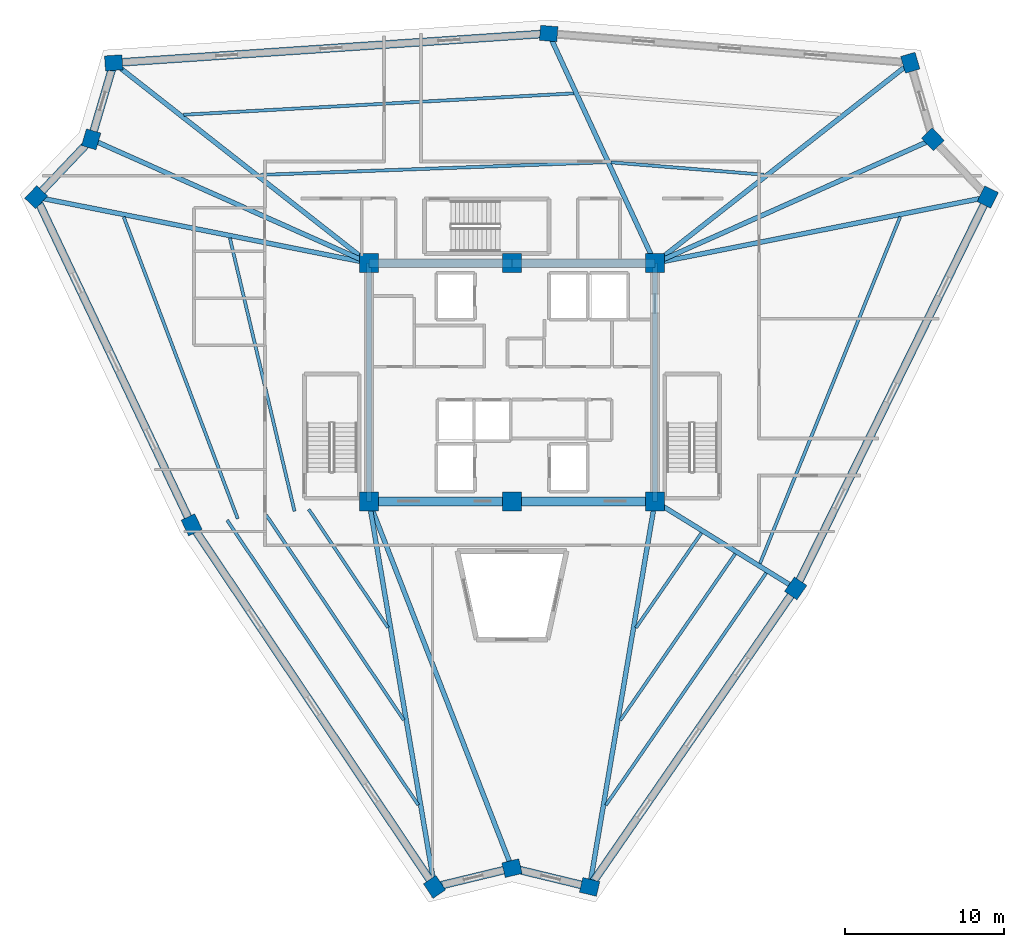
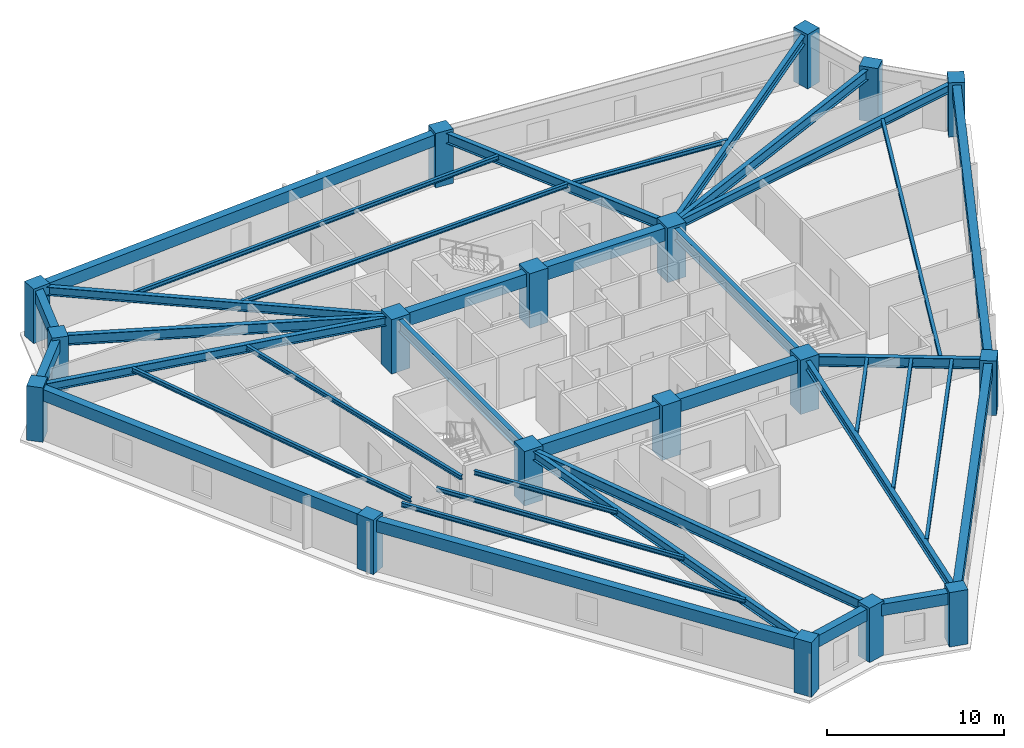
# One storey, part 1 of 8: 38 beams, 18 columns.
"""IFC4 building model written with IfcOpenShell, lengths in metres."""

import ifcopenshell
import ifcopenshell.guid

model = None  # the IFC model being written
_history = None  # IfcOwnerHistory: only IFC2X3 demands one
_inside = {}  # id of a spatial element -> (the spatial element, [elements in it])
_under = {}  # id of a project, library or spatial element -> (it, [spatial elements below it])
_declared = {}  # id of a project -> (the project, [libraries it declares])
_typed = {}  # id of a type object -> (the type object, [elements of that type])
_made_of = {}  # id of a material, layer set ... -> (it, [elements and type objects made of it])


def new_model(schema):
    """Start an empty IFC model of exactly this schema.

    Asked for "IFC4X3", IfcOpenShell would pick the latest addendum, in which some entities
    have other attributes; the version numbers below select the first issue.
    IFC2X3 requires an IfcOwnerHistory on every rooted entity: one is made here for all.
    """
    global model, _history
    if schema == "IFC4X3":
        model = ifcopenshell.file(schema_version=(4, 3, 0, 0))
    else:
        model = ifcopenshell.file(schema=schema)
    _inside.clear()
    _under.clear()
    _declared.clear()
    _typed.clear()
    _made_of.clear()
    _history = None
    if model.schema == "IFC2X3":
        org = make("IfcOrganization", Name="unknown")
        user = make(
            "IfcPersonAndOrganization",
            ThePerson=make("IfcPerson", FamilyName="unknown"),
            TheOrganization=org,
        )
        app = make(
            "IfcApplication",
            ApplicationDeveloper=org,
            Version="unknown",
            ApplicationFullName="unknown",
            ApplicationIdentifier="unknown",
        )
        _history = make(
            "IfcOwnerHistory",
            OwningUser=user,
            OwningApplication=app,
            ChangeAction="ADDED",
            CreationDate=0,
        )
    return model


def make(cls, **values):
    """One entity of the class cls with the attributes given. An attribute that is None is left unset."""
    return model.create_entity(
        cls, **{name: value for name, value in values.items() if value is not None}
    )


def rooted(cls, **values):
    """An entity with a GlobalId (a new one), such as an element, a storey or a relation."""
    return make(cls, GlobalId=ifcopenshell.guid.new(), OwnerHistory=_history, **values)


def si_unit(unit_type, name, prefix=None):
    """IfcSIUnit, for example si_unit("LENGTHUNIT", "METRE", prefix="MILLI")."""
    return make("IfcSIUnit", UnitType=unit_type, Prefix=prefix, Name=name)


def assignment(units):
    """IfcUnitAssignment: the units of a project."""
    return None if units is None else make("IfcUnitAssignment", Units=units)


def point(xyz):
    """IfcCartesianPoint."""
    return None if xyz is None else make("IfcCartesianPoint", Coordinates=xyz)


def direction(xyz):
    """IfcDirection."""
    return None if xyz is None else make("IfcDirection", DirectionRatios=xyz)


def frame(location, z_axis=None, x_axis=None):
    """IfcAxis2Placement3D, a coordinate frame: its origin and axes. An axis left out is left unset."""
    return make(
        "IfcAxis2Placement3D",
        Location=point(location),
        Axis=direction(z_axis),
        RefDirection=direction(x_axis),
    )


def frame_2d(location, x_axis=None):
    """IfcAxis2Placement2D, a coordinate frame in the plane: its origin and x axis."""
    return make(
        "IfcAxis2Placement2D", Location=point(location), RefDirection=direction(x_axis)
    )


def origin():
    """The frame at (0, 0, 0) with its axes left unset."""
    return frame((0.0, 0.0, 0.0))


def origin_2d():
    """The frame at (0, 0) in the plane with its x axis left unset."""
    return frame_2d((0.0, 0.0))


def place(relative_to, where):
    """IfcLocalPlacement: puts the frame where relative to a parent placement (None: the world)."""
    return make(
        "IfcLocalPlacement", PlacementRelTo=relative_to, RelativePlacement=where
    )


def context(
    kind, dimensions, precision=None, world=None, true_north=None, identifier=None
):
    """IfcGeometricRepresentationContext, for example the 3D "Model" context."""
    return make(
        "IfcGeometricRepresentationContext",
        ContextIdentifier=identifier,
        ContextType=kind,
        CoordinateSpaceDimension=dimensions,
        Precision=precision,
        WorldCoordinateSystem=world,
        TrueNorth=true_north,
    )


def subcontext(parent, identifier, kind, view, scale=None):
    """IfcGeometricRepresentationSubContext, for example "Body" below "Model"."""
    return make(
        "IfcGeometricRepresentationSubContext",
        ContextIdentifier=identifier,
        ContextType=kind,
        ParentContext=parent,
        TargetScale=scale,
        TargetView=view,
    )


def project(units=None, contexts=None):
    """IfcProject with its units and contexts."""
    return rooted(
        "IfcProject",
        Name="project",
        RepresentationContexts=contexts,
        UnitsInContext=assignment(units),
    )


def spatial(cls, under=None, at=None, **own):
    """A site, building, storey or space (cls), placed at a placement, below another one or the project."""
    s = rooted(cls, ObjectPlacement=at, **own)
    if under is not None:
        _under.setdefault(under.id(), (under, []))[1].append(s)
    return s


def profile(cls, at=None, kind="AREA", **sizes):
    """A parametric profile (cls). Its sizes go by their IFC names, for example OverallWidth=200.0."""
    return make(cls, ProfileType=kind, Position=at, **sizes)


def rectangle(**sizes):
    """IfcRectangleProfileDef."""
    return profile("IfcRectangleProfileDef", **sizes)


def i_section(**sizes):
    """IfcIShapeProfileDef."""
    return profile("IfcIShapeProfileDef", **sizes)


def extrude(swept, where, along, depth):
    """IfcExtrudedAreaSolid: the profile swept, set in the frame where, extruded along a direction by depth."""
    return make(
        "IfcExtrudedAreaSolid",
        SweptArea=swept,
        Position=where,
        ExtrudedDirection=direction(along),
        Depth=depth,
    )


def shape(context_of_items, identifier, shape_type, items):
    """IfcShapeRepresentation: the items that make up one representation, for example the "Body"."""
    return make(
        "IfcShapeRepresentation",
        ContextOfItems=context_of_items,
        RepresentationIdentifier=identifier,
        RepresentationType=shape_type,
        Items=items,
    )


def source(mapping_origin, context_of_items, identifier, shape_type, items):
    """IfcRepresentationMap: a shape defined once, which mapped items show again and again."""
    return make(
        "IfcRepresentationMap",
        MappingOrigin=mapping_origin,
        MappedRepresentation=shape(context_of_items, identifier, shape_type, items),
    )


def transform(
    local_origin,
    x_axis=None,
    y_axis=None,
    z_axis=None,
    scale=None,
    scale2=None,
    scale3=None,
    uniform=True,
):
    """IfcCartesianTransformationOperator3D, or its non-uniform kind. x_axis, y_axis, z_axis: its Axis1, 2, 3."""
    if uniform:
        return make(
            "IfcCartesianTransformationOperator3D",
            Axis1=direction(x_axis),
            Axis2=direction(y_axis),
            LocalOrigin=point(local_origin),
            Scale=scale,
            Axis3=direction(z_axis),
        )
    return make(
        "IfcCartesianTransformationOperator3DnonUniform",
        Axis1=direction(x_axis),
        Axis2=direction(y_axis),
        LocalOrigin=point(local_origin),
        Scale=scale,
        Axis3=direction(z_axis),
        Scale2=scale2,
        Scale3=scale3,
    )


def mapped(mapping_source, mapping_target):
    """IfcMappedItem: shows the shape of a source again, moved by a transform."""
    return make(
        "IfcMappedItem", MappingSource=mapping_source, MappingTarget=mapping_target
    )


def material(Name=None, Category=None):
    """IfcMaterial."""
    return make("IfcMaterial", Name=Name, Category=Category)


def material_profile(
    of_material, cross_section, Name=None, Category=None, Priority=None
):
    """IfcMaterialProfile: a cross section and its material."""
    return make(
        "IfcMaterialProfile",
        Name=Name,
        Material=of_material,
        Profile=cross_section,
        Priority=Priority,
        Category=Category,
    )


def profile_set(profiles, Name=None, composite=None):
    """IfcMaterialProfileSet."""
    return make(
        "IfcMaterialProfileSet",
        Name=Name,
        MaterialProfiles=profiles,
        CompositeProfile=composite,
    )


def made_of(thing, what):
    """Note that an element or type object is made of a material, layer set ...; save() writes the relation."""
    if what is not None:
        _made_of.setdefault(what.id(), (what, []))[1].append(thing)
    return thing


def type_object(cls, material=None, **own):
    """A type object (cls), such as IfcWallType, which elements share."""
    return made_of(rooted(cls, **own), material)


def element(
    cls,
    number,
    at=None,
    inside=None,
    cuts=None,
    type_object=None,
    material=None,
    context=None,
    identifier="Body",
    shape_type=None,
    held_by="IfcProductDefinitionShape",
    body=None,
    shapes=None,
    **own,
):
    """One element of the class cls, such as IfcWall. Its Tag is "e" and its number.

    at: its placement. inside: the storey or other place that contains it. cuts: it is an
    opening in that element (IfcRelVoidsElement). A single representation is given by context,
    identifier, shape_type and body (its items); several are given by shapes. held_by: the class
    of the entity that holds the representations. save() writes the other relations.
    """
    e = rooted(cls, Tag="e%d" % number, ObjectPlacement=at, **own)
    if body is not None:
        shapes = [shape(context, identifier, shape_type, body)]
    if shapes is not None:
        e.Representation = make(held_by, Representations=shapes)
    if inside is not None:
        _inside.setdefault(inside.id(), (inside, []))[1].append(e)
    if cuts is not None:
        rooted(
            "IfcRelVoidsElement", RelatingBuildingElement=cuts, RelatedOpeningElement=e
        )
    if type_object is not None:
        _typed.setdefault(type_object.id(), (type_object, []))[1].append(e)
    return made_of(e, material)


def aggregate(whole, parts):
    """IfcRelAggregates: a whole, such as a stair, and the parts it consists of."""
    return rooted("IfcRelAggregates", RelatingObject=whole, RelatedObjects=parts)


def save(model, path):
    """Write the relations noted so far, then the file.

    IfcRelAggregates (storeys below a building ...), IfcRelContainedInSpatialStructure (elements
    in a storey), IfcRelDefinesByType, IfcRelAssociatesMaterial and IfcRelDeclares: one each for
    every whole, place, type object, material and project.
    """
    for whole, parts in _under.values():
        aggregate(whole, parts)
    for where, things in _inside.values():
        rooted(
            "IfcRelContainedInSpatialStructure",
            RelatedElements=things,
            RelatingStructure=where,
        )
    for kind, things in _typed.values():
        rooted("IfcRelDefinesByType", RelatedObjects=things, RelatingType=kind)
    for what, things in _made_of.values():
        rooted("IfcRelAssociatesMaterial", RelatedObjects=things, RelatingMaterial=what)
    for by, libraries in _declared.values():
        rooted("IfcRelDeclares", RelatingContext=by, RelatedDefinitions=libraries)
    model.write(path)


model = new_model("IFC4")

# Units and contexts
model_context = context("Model", 3, precision=1e-05, world=origin(), true_north=direction((0.0, 1.0)))
body_context = subcontext(model_context, "Body", "Model", "MODEL_VIEW")
ifc_project = project(units=[si_unit("LENGTHUNIT", "METRE"), si_unit("AREAUNIT", "SQUARE_METRE"), si_unit("VOLUMEUNIT", "CUBIC_METRE"), si_unit("PLANEANGLEUNIT", "RADIAN"), si_unit("MASSUNIT", "GRAM", prefix="KILO")], contexts=[model_context])

# Site, building, storey
site_placement = place(None, origin())
site = spatial("IfcSite", under=ifc_project, at=site_placement, CompositionType="ELEMENT")
building_placement = place(site_placement, origin())
building = spatial("IfcBuilding", under=site, at=building_placement, Name="Liaohun Quay Tower", CompositionType="ELEMENT")
storey_placement = place(building_placement, frame((0.0, 0.0, 312.75)))
storey = spatial("IfcBuildingStorey", under=building, at=storey_placement, Name="L81", CompositionType="ELEMENT", Elevation=312.75)

# Columns
ifc_material_1 = material(Name="Concrete C50", Category="concrete")
ifc_material_profile_1 = material_profile(ifc_material_1, rectangle(XDim=1.199951171875, YDim=1.199951171875, at=origin_2d()), Name="RC1200x1200")
ifc_profile_set_1 = profile_set([ifc_material_profile_1], Name="Concrete C50")
column_type_1 = type_object("IfcColumnType", Name="COL-CC-Z4", PredefinedType="COLUMN", material=ifc_profile_set_1)
shared_shape_1 = source(origin(), body_context, "Body", "SweptSolid", [
    extrude(rectangle(XDim=1.199951171875, YDim=1.199951171875, at=origin_2d()), origin(), (0.0, 0.0, 1.0), 3.75),
])
for number, where, z_axis, x_axis, name in (
    (1, (51.0, 46.5, 0.0), (0.0, 0.0, 1.0), (1.0, 0.0, 0.0), "L81 Core Column CC1"),
    (2, (60.0, 46.5, 0.0), (0.0, 0.0, 1.0), (1.0, 0.0, 0.0), "L81 Core Column CC2"),
    (3, (69.0, 46.5, 0.0), (0.0, 0.0, 1.0), (1.0, 0.0, 0.0), "L81 Core Column CC3"),
    (4, (69.0, 61.5, 0.0), (0.0, 0.0, 1.0), (1.0, 0.0, 0.0), "L81 Core Column CC4"),
    (5, (60.0, 61.5, 0.0), (0.0, 0.0, 1.0), (1.0, 0.0, 0.0), "L81 Core Column CC5"),
    (6, (51.0, 61.5, 0.0), (0.0, 0.0, 1.0), (1.0, 0.0, 0.0), "L81 Core Column CC6"),
):
    element("IfcColumn", number, at=place(storey_placement, frame(where, z_axis=z_axis, x_axis=x_axis)), inside=storey, type_object=column_type_1, Name=name, PredefinedType="COLUMN", context=body_context, shape_type="MappedRepresentation", body=[
        mapped(shared_shape_1, transform((0.0, 0.0, 0.0), x_axis=(1.0, 0.0, 0.0), y_axis=(0.0, 1.0, 0.0), z_axis=(0.0, 0.0, 1.0), scale=1.0)),
    ])
ifc_material_profile_2 = material_profile(ifc_material_1, rectangle(XDim=1.10009765625, YDim=0.949951171875, at=origin_2d()), Name="RC1100x950")
ifc_profile_set_2 = profile_set([ifc_material_profile_2], Name="Concrete C50")
column_type_2 = type_object("IfcColumnType", Name="COL-PIER-Z4", PredefinedType="COLUMN", material=ifc_profile_set_2)
shared_shape_2 = source(origin(), body_context, "Body", "SweptSolid", [
    extrude(rectangle(XDim=1.10009765625, YDim=0.949951171875, at=origin_2d()), origin(), (0.0, 0.0, 1.0), 3.75),
])
for number, where, z_axis, x_axis, name in (
    (7, (55.123046875, 22.22998046875, 0.0), (0.0, 0.0, 1.0), (-0.557165515219, 0.830401462336, 0.0), "L81 Perimeter Pier PC01"),
    (8, (39.8310546875, 45.02197265625, 0.0), (0.0, 0.0, 1.0), (-0.428619783775, 0.903484964433, 0.0), "L81 Perimeter Pier PC02"),
    (9, (30.0419921875, 65.655029296875, 0.0), (0.0, 0.0, 1.0), (0.68936671806, 0.724412539946, 0.0), "L81 Perimeter Pier PC03"),
    (10, (33.507080078125, 69.2958984375, 0.0), (0.0, 0.0, 1.0), (0.282508884416, 0.959264682049, 0.0), "L81 Perimeter Pier PC04"),
    (11, (34.925048828125, 74.10888671875, 0.0), (0.0, 0.0, 1.0), (0.997731519333, 0.067318759124, 0.0), "L81 Perimeter Pier PC05"),
    (12, (62.30908203125, 75.9560546875, 0.0), (0.0, 0.0, 1.0), (-0.996750823024, 0.080546860903, 0.0), "L81 Perimeter Pier PC06"),
    (13, (85.072998046875, 74.116943359375, 0.0), (0.0, 0.0, 1.0), (-0.282508884416, 0.959264682049, 0.0), "L81 Perimeter Pier PC07"),
    (14, (86.492919921875, 69.2958984375, 0.0), (0.0, 0.0, 1.0), (-0.68936671806, 0.724412539946, 0.0), "L81 Perimeter Pier PC08"),
    (15, (89.951904296875, 65.660888671875, 0.0), (0.0, 0.0, 1.0), (0.440566004113, 0.897720221461, 0.0), "L81 Perimeter Pier PC09"),
    (16, (77.860107421875, 41.02197265625, 0.0), (0.0, 0.0, 1.0), (0.568131039249, 0.82293810353, 0.0), "L81 Perimeter Pier PC10"),
    (17, (64.885009765625, 22.22802734375, 0.0), (0.0, 0.0, 1.0), (-0.972043021443, 0.234802820391, 0.0), "L81 Perimeter Pier PC11"),
    (18, (60.0, 23.407958984375, 0.0), (0.0, 0.0, 1.0), (0.972043021443, 0.234802820391, 0.0), "L81 Perimeter Pier PC12"),
):
    element("IfcColumn", number, at=place(storey_placement, frame(where, z_axis=z_axis, x_axis=x_axis)), inside=storey, type_object=column_type_2, Name=name, PredefinedType="COLUMN", context=body_context, shape_type="MappedRepresentation", body=[
        mapped(shared_shape_2, transform((0.0, 0.0, 0.0), x_axis=(1.0, 0.0, 0.0), y_axis=(0.0, 1.0, 0.0), z_axis=(0.0, 0.0, 1.0), scale=1.0)),
    ])

# Beams
ifc_material_2 = material(Name="Steel Q355D", Category="steel")
ifc_material_profile_3 = material_profile(ifc_material_2, i_section(OverallWidth=0.300048828125, OverallDepth=0.800048828125, WebThickness=0.013916015625, FlangeThickness=0.02587890625, at=origin_2d()), Name="HN800x300x14x26")
ifc_profile_set_3 = profile_set([ifc_material_profile_3], Name="Steel Q355D")
beam_type_1 = type_object("IfcBeamType", Name="BM-RAD-M1", PredefinedType="BEAM", material=ifc_profile_set_3)
shared_shape_3 = source(origin(), body_context, "Body", "SweptSolid", [
    extrude(i_section(OverallWidth=0.300048828125, OverallDepth=0.800048828125, WebThickness=0.013916015625, FlangeThickness=0.02587890625, at=origin_2d()), origin(), (0.0, 0.0, 1.0), 15.0),
])
for number, where, z_axis, x_axis, name in (
    (19, (69.0, 46.5, 3.169921875), (0.0, 1.0, 0.0), (-1.0, 0.0, 0.0), "L81 Core Coupling/Ring Beam CC3-CC4"),
    (20, (51.0, 61.5, 3.169921875), (0.0, -1.0, 0.0), (1.0, 0.0, 0.0), "L81 Core Coupling/Ring Beam CC6-CC1"),
):
    element("IfcBeam", number, at=place(storey_placement, frame(where, z_axis=z_axis, x_axis=x_axis)), inside=storey, type_object=beam_type_1, Name=name, PredefinedType="BEAM", context=body_context, shape_type="MappedRepresentation", body=[
        mapped(shared_shape_3, transform((0.0, 0.0, 0.0), x_axis=(1.0, 0.0, 0.0), y_axis=(0.0, 1.0, 0.0), z_axis=(0.0, 0.0, 1.0), scale=1.0)),
    ])
ifc_material_3 = material(Name="Concrete C55", Category="concrete")
ifc_material_profile_4 = material_profile(ifc_material_3, rectangle(XDim=0.550048828125, YDim=0.89990234375, at=origin_2d()), Name="RC550x900")
ifc_profile_set_4 = profile_set([ifc_material_profile_4], Name="Concrete C55")
beam_type_2 = type_object("IfcBeamType", Name="BM-CPL-2", PredefinedType="LINTEL", material=ifc_profile_set_4)
shared_shape_4 = source(origin(), body_context, "Body", "SweptSolid", [
    extrude(rectangle(XDim=0.550048828125, YDim=0.89990234375, at=origin_2d()), origin(), (0.0, 0.0, 1.0), 9.0),
])
for number, where, z_axis, x_axis, name in (
    (21, (51.0, 46.5, 3.1201171875), (1.0, 0.0, 0.0), (0.0, 1.0, 0.0), "L81 Core Coupling/Ring Beam CC1-CC2"),
    (22, (60.0, 46.5, 3.1201171875), (1.0, 0.0, 0.0), (0.0, 1.0, 0.0), "L81 Core Coupling/Ring Beam CC2-CC3"),
    (23, (69.0, 61.5, 3.1201171875), (-1.0, 0.0, 0.0), (0.0, -1.0, 0.0), "L81 Core Coupling/Ring Beam CC4-CC5"),
    (24, (60.0, 61.5, 3.1201171875), (-1.0, 0.0, 0.0), (0.0, -1.0, 0.0), "L81 Core Coupling/Ring Beam CC5-CC6"),
):
    element("IfcBeam", number, at=place(storey_placement, frame(where, z_axis=z_axis, x_axis=x_axis)), inside=storey, type_object=beam_type_2, Name=name, PredefinedType="LINTEL", context=body_context, shape_type="MappedRepresentation", body=[
        mapped(shared_shape_4, transform((0.0, 0.0, 0.0), x_axis=(1.0, 0.0, 0.0), y_axis=(0.0, 1.0, 0.0), z_axis=(0.0, 0.0, 1.0), scale=1.0)),
    ])
ifc_material_profile_5 = material_profile(ifc_material_2, i_section(OverallWidth=0.300048828125, OverallDepth=0.587890625, WebThickness=0.011962890625, FlangeThickness=0.02001953125, at=origin_2d()), Name="HM588x300x12x20")
ifc_profile_set_5 = profile_set([ifc_material_profile_5], Name="Steel Q355D")
beam_type_3 = type_object("IfcBeamType", Name="BM-RAD-U2", PredefinedType="BEAM", material=ifc_profile_set_5)
shared_shape_5 = source(origin(), body_context, "Body", "SweptSolid", [
    extrude(i_section(OverallWidth=0.300048828125, OverallDepth=0.587890625, WebThickness=0.011962890625, FlangeThickness=0.02001953125, at=origin_2d()), origin(), (0.0, 0.0, 1.0), 24.61767578125),
])
beam_1_placement = place(storey_placement, frame((51.0, 46.5, 3.27587890625), z_axis=(0.167482720007, -0.985875011601, 0.0), x_axis=(0.985875011601, 0.167482720007, 0.0)))
element("IfcBeam", 25, at=beam_1_placement, inside=storey, type_object=beam_type_3, Name="L81 Radial Primary Girder CC1-PC01", PredefinedType="BEAM", context=body_context, shape_type="MappedRepresentation", body=[
    mapped(shared_shape_5, transform((0.0, 0.0, 0.0), x_axis=(1.0, 0.0, 0.0), y_axis=(0.0, 1.0, 0.0), z_axis=(0.0, 0.0, 1.0), scale=1.0)),
])
shared_shape_6 = source(origin(), body_context, "Body", "SweptSolid", [
    extrude(i_section(OverallWidth=0.300048828125, OverallDepth=0.587890625, WebThickness=0.011962890625, FlangeThickness=0.02001953125, at=origin_2d()), origin(), (0.0, 0.0, 1.0), 21.365966796875),
])
beam_2_placement = place(storey_placement, frame((51.0, 61.5, 3.27587890625), z_axis=(-0.980908469538, 0.194469983261, 0.0), x_axis=(-0.194469983261, -0.980908469538, 0.0)))
element("IfcBeam", 26, at=beam_2_placement, inside=storey, type_object=beam_type_3, Name="L81 Radial Primary Girder CC6-PC03", PredefinedType="BEAM", context=body_context, shape_type="MappedRepresentation", body=[
    mapped(shared_shape_6, transform((0.0, 0.0, 0.0), x_axis=(1.0, 0.0, 0.0), y_axis=(0.0, 1.0, 0.0), z_axis=(0.0, 0.0, 1.0), scale=1.0)),
])
ifc_material_profile_6 = material_profile(ifc_material_2, i_section(OverallWidth=0.300048828125, OverallDepth=0.699951171875, WebThickness=0.012939453125, FlangeThickness=0.02392578125, at=origin_2d()), Name="HN700x300x13x24")
ifc_profile_set_6 = profile_set([ifc_material_profile_6], Name="Steel Q355D")
beam_type_4 = type_object("IfcBeamType", Name="BM-RAD-U1", PredefinedType="BEAM", material=ifc_profile_set_6)
shared_shape_7 = source(origin(), body_context, "Body", "SweptSolid", [
    extrude(i_section(OverallWidth=0.300048828125, OverallDepth=0.699951171875, WebThickness=0.012939453125, FlangeThickness=0.02392578125, at=origin_2d()), origin(), (0.0, 0.0, 1.0), 19.1513671875),
])
for number, where, z_axis, x_axis, name in (
    (27, (51.0, 61.5, 3.219970703125), (-0.913398940203, 0.407065567244, 0.0), (-0.407065567244, -0.913398940203, 0.0), "L81 Radial Primary Girder CC6-PC04"),
    (28, (69.0, 61.5, 3.219970703125), (0.913398940203, 0.407065567244, 0.0), (-0.407065567244, 0.913398940203, 0.0), "L81 Radial Primary Girder CC4-PC08"),
):
    element("IfcBeam", number, at=place(storey_placement, frame(where, z_axis=z_axis, x_axis=x_axis)), inside=storey, type_object=beam_type_4, Name=name, PredefinedType="BEAM", context=body_context, shape_type="MappedRepresentation", body=[
        mapped(shared_shape_7, transform((0.0, 0.0, 0.0), x_axis=(1.0, 0.0, 0.0), y_axis=(0.0, 1.0, 0.0), z_axis=(0.0, 0.0, 1.0), scale=1.0)),
    ])
shared_shape_8 = source(origin(), body_context, "Body", "SweptSolid", [
    extrude(i_section(OverallWidth=0.300048828125, OverallDepth=0.587890625, WebThickness=0.011962890625, FlangeThickness=0.02001953125, at=origin_2d()), origin(), (0.0, 0.0, 1.0), 20.43017578125),
])
beam_3_placement = place(storey_placement, frame((51.0, 61.5, 3.27587890625), z_axis=(-0.786827701717, 0.617172721214, 0.0), x_axis=(-0.617172721214, -0.786827701717, 0.0)))
element("IfcBeam", 29, at=beam_3_placement, inside=storey, type_object=beam_type_3, Name="L81 Radial Primary Girder CC6-PC05", PredefinedType="BEAM", context=body_context, shape_type="MappedRepresentation", body=[
    mapped(shared_shape_8, transform((0.0, 0.0, 0.0), x_axis=(1.0, 0.0, 0.0), y_axis=(0.0, 1.0, 0.0), z_axis=(0.0, 0.0, 1.0), scale=1.0)),
])
shared_shape_9 = source(origin(), body_context, "Body", "SweptSolid", [
    extrude(i_section(OverallWidth=0.300048828125, OverallDepth=0.699951171875, WebThickness=0.012939453125, FlangeThickness=0.02392578125, at=origin_2d()), origin(), (0.0, 0.0, 1.0), 15.929443359375),
])
beam_4_placement = place(storey_placement, frame((69.0, 61.5, 3.219970703125), z_axis=(-0.420035684894, 0.907507588627, 0.0), x_axis=(-0.907507588627, -0.420035684894, 0.0)))
element("IfcBeam", 30, at=beam_4_placement, inside=storey, type_object=beam_type_4, Name="L81 Radial Primary Girder CC4-PC06", PredefinedType="BEAM", context=body_context, shape_type="MappedRepresentation", body=[
    mapped(shared_shape_9, transform((0.0, 0.0, 0.0), x_axis=(1.0, 0.0, 0.0), y_axis=(0.0, 1.0, 0.0), z_axis=(0.0, 0.0, 1.0), scale=1.0)),
])
shared_shape_10 = source(origin(), body_context, "Body", "SweptSolid", [
    extrude(i_section(OverallWidth=0.300048828125, OverallDepth=0.587890625, WebThickness=0.011962890625, FlangeThickness=0.02001953125, at=origin_2d()), origin(), (0.0, 0.0, 1.0), 20.43359375),
])
beam_5_placement = place(storey_placement, frame((69.0, 61.5, 3.27587890625), z_axis=(0.786599771307, 0.617463197105, 0.0), x_axis=(-0.617463197105, 0.786599771307, 0.0)))
element("IfcBeam", 31, at=beam_5_placement, inside=storey, type_object=beam_type_3, Name="L81 Radial Primary Girder CC4-PC07", PredefinedType="BEAM", context=body_context, shape_type="MappedRepresentation", body=[
    mapped(shared_shape_10, transform((0.0, 0.0, 0.0), x_axis=(1.0, 0.0, 0.0), y_axis=(0.0, 1.0, 0.0), z_axis=(0.0, 0.0, 1.0), scale=1.0)),
])
shared_shape_11 = source(origin(), body_context, "Body", "SweptSolid", [
    extrude(i_section(OverallWidth=0.300048828125, OverallDepth=0.587890625, WebThickness=0.011962890625, FlangeThickness=0.02001953125, at=origin_2d()), origin(), (0.0, 0.0, 1.0), 21.361083984375),
])
beam_6_placement = place(storey_placement, frame((69.0, 61.5, 3.27587890625), z_axis=(0.980845286904, 0.194788406119, 0.0), x_axis=(-0.194788406119, 0.980845286904, 0.0)))
element("IfcBeam", 32, at=beam_6_placement, inside=storey, type_object=beam_type_3, Name="L81 Radial Primary Girder CC4-PC09", PredefinedType="BEAM", context=body_context, shape_type="MappedRepresentation", body=[
    mapped(shared_shape_11, transform((0.0, 0.0, 0.0), x_axis=(1.0, 0.0, 0.0), y_axis=(0.0, 1.0, 0.0), z_axis=(0.0, 0.0, 1.0), scale=1.0)),
])
shared_shape_12 = source(origin(), body_context, "Body", "SweptSolid", [
    extrude(i_section(OverallWidth=0.300048828125, OverallDepth=0.699951171875, WebThickness=0.012939453125, FlangeThickness=0.02392578125, at=origin_2d()), origin(), (0.0, 0.0, 1.0), 10.416748046875),
])
beam_7_placement = place(storey_placement, frame((69.0, 46.5, 3.219970703125), z_axis=(0.850557211481, -0.525882524902, 0.0), x_axis=(0.525882524902, 0.850557211481, 0.0)))
element("IfcBeam", 33, at=beam_7_placement, inside=storey, type_object=beam_type_4, Name="L81 Radial Primary Girder CC3-PC10", PredefinedType="BEAM", context=body_context, shape_type="MappedRepresentation", body=[
    mapped(shared_shape_12, transform((0.0, 0.0, 0.0), x_axis=(1.0, 0.0, 0.0), y_axis=(0.0, 1.0, 0.0), z_axis=(0.0, 0.0, 1.0), scale=1.0)),
])
shared_shape_13 = source(origin(), body_context, "Body", "SweptSolid", [
    extrude(i_section(OverallWidth=0.300048828125, OverallDepth=0.587890625, WebThickness=0.011962890625, FlangeThickness=0.02001953125, at=origin_2d()), origin(), (0.0, 0.0, 1.0), 24.618408203125),
])
beam_8_placement = place(storey_placement, frame((69.0, 46.5, 3.27587890625), z_axis=(-0.167151528677, -0.985931217916, 0.0), x_axis=(0.985931217916, -0.167151528677, 0.0)))
element("IfcBeam", 34, at=beam_8_placement, inside=storey, type_object=beam_type_3, Name="L81 Radial Primary Girder CC3-PC11", PredefinedType="BEAM", context=body_context, shape_type="MappedRepresentation", body=[
    mapped(shared_shape_13, transform((0.0, 0.0, 0.0), x_axis=(1.0, 0.0, 0.0), y_axis=(0.0, 1.0, 0.0), z_axis=(0.0, 0.0, 1.0), scale=1.0)),
])
shared_shape_14 = source(origin(), body_context, "Body", "SweptSolid", [
    extrude(i_section(OverallWidth=0.300048828125, OverallDepth=0.699951171875, WebThickness=0.012939453125, FlangeThickness=0.02392578125, at=origin_2d()), origin(), (0.0, 0.0, 1.0), 24.783935546875),
])
beam_9_placement = place(storey_placement, frame((51.0, 46.5, 3.219970703125), z_axis=(0.363138778468, -0.931735062973, 0.0), x_axis=(0.931735062973, 0.363138778468, 0.0)))
element("IfcBeam", 35, at=beam_9_placement, inside=storey, type_object=beam_type_4, Name="L81 Radial Primary Girder CC1-PC12", PredefinedType="BEAM", context=body_context, shape_type="MappedRepresentation", body=[
    mapped(shared_shape_14, transform((0.0, 0.0, 0.0), x_axis=(1.0, 0.0, 0.0), y_axis=(0.0, 1.0, 0.0), z_axis=(0.0, 0.0, 1.0), scale=1.0)),
])
ifc_material_profile_7 = material_profile(ifc_material_2, i_section(OverallWidth=0.199951171875, OverallDepth=0.2939453125, WebThickness=0.008056640625, FlangeThickness=0.011962890625, at=origin_2d()), Name="HM294x200x8x12")
ifc_profile_set_7 = profile_set([ifc_material_profile_7], Name="Steel Q355D")
beam_type_5 = type_object("IfcBeamType", Name="BM-SEC-J4", PredefinedType="JOIST", material=ifc_profile_set_7)
shared_shape_15 = source(origin(), body_context, "Body", "SweptSolid", [
    extrude(i_section(OverallWidth=0.199951171875, OverallDepth=0.2939453125, WebThickness=0.008056640625, FlangeThickness=0.011962890625, at=origin_2d()), origin(), (0.0, 0.0, 1.0), 8.965576171875),
])
beam_10_placement = place(storey_placement, frame((52.197998046875, 38.552001953125, 3.423095703125), z_axis=(-0.557148590197, 0.830412818086, 0.0), x_axis=(-0.830412818086, -0.557148590197, 0.0)))
element("IfcBeam", 36, at=beam_10_placement, inside=storey, type_object=beam_type_5, Name="L81 Wing Secondary Floor Joist SJ-01", PredefinedType="JOIST", context=body_context, shape_type="MappedRepresentation", body=[
    mapped(shared_shape_15, transform((0.0, 0.0, 0.0), x_axis=(1.0, 0.0, 0.0), y_axis=(0.0, 1.0, 0.0), z_axis=(0.0, 0.0, 1.0), scale=1.0)),
])
shared_shape_16 = source(origin(), body_context, "Body", "SweptSolid", [
    extrude(i_section(OverallWidth=0.199951171875, OverallDepth=0.2939453125, WebThickness=0.008056640625, FlangeThickness=0.011962890625, at=origin_2d()), origin(), (0.0, 0.0, 1.0), 15.553955078125),
])
beam_11_placement = place(storey_placement, frame((53.18798828125, 32.72705078125, 3.423095703125), z_axis=(-0.557160899617, 0.830404559199, 0.0), x_axis=(-0.830404559199, -0.557160899617, 0.0)))
element("IfcBeam", 37, at=beam_11_placement, inside=storey, type_object=beam_type_5, Name="L81 Wing Secondary Floor Joist SJ-02", PredefinedType="JOIST", context=body_context, shape_type="MappedRepresentation", body=[
    mapped(shared_shape_16, transform((0.0, 0.0, 0.0), x_axis=(1.0, 0.0, 0.0), y_axis=(0.0, 1.0, 0.0), z_axis=(0.0, 0.0, 1.0), scale=1.0)),
])
shared_shape_17 = source(origin(), body_context, "Body", "SweptSolid", [
    extrude(i_section(OverallWidth=0.199951171875, OverallDepth=0.2939453125, WebThickness=0.008056640625, FlangeThickness=0.011962890625, at=origin_2d()), origin(), (0.0, 0.0, 1.0), 21.592041015625),
])
beam_12_placement = place(storey_placement, frame((54.094970703125, 27.387939453125, 3.423095703125), z_axis=(-0.557153142682, 0.830409763671, 0.0), x_axis=(-0.830409763671, -0.557153142682, 0.0)))
element("IfcBeam", 38, at=beam_12_placement, inside=storey, type_object=beam_type_5, Name="L81 Wing Secondary Floor Joist SJ-03", PredefinedType="JOIST", context=body_context, shape_type="MappedRepresentation", body=[
    mapped(shared_shape_17, transform((0.0, 0.0, 0.0), x_axis=(1.0, 0.0, 0.0), y_axis=(0.0, 1.0, 0.0), z_axis=(0.0, 0.0, 1.0), scale=1.0)),
])
shared_shape_18 = source(origin(), body_context, "Body", "SweptSolid", [
    extrude(i_section(OverallWidth=0.199951171875, OverallDepth=0.2939453125, WebThickness=0.008056640625, FlangeThickness=0.011962890625, at=origin_2d()), origin(), (0.0, 0.0, 1.0), 17.681640625),
])
beam_13_placement = place(storey_placement, frame((46.30908203125, 45.87890625, 3.423095703125), z_axis=(-0.230352842773, 0.973107171809, 0.0), x_axis=(-0.973107171809, -0.230352842773, 0.0)))
element("IfcBeam", 39, at=beam_13_placement, inside=storey, type_object=beam_type_5, Name="L81 Wing Secondary Floor Joist SJ-04", PredefinedType="JOIST", context=body_context, shape_type="MappedRepresentation", body=[
    mapped(shared_shape_18, transform((0.0, 0.0, 0.0), x_axis=(1.0, 0.0, 0.0), y_axis=(0.0, 1.0, 0.0), z_axis=(0.0, 0.0, 1.0), scale=1.0)),
])
shared_shape_19 = source(origin(), body_context, "Body", "SweptSolid", [
    extrude(i_section(OverallWidth=0.199951171875, OverallDepth=0.2939453125, WebThickness=0.008056640625, FlangeThickness=0.011962890625, at=origin_2d()), origin(), (0.0, 0.0, 1.0), 20.314453125),
])
beam_14_placement = place(storey_placement, frame((42.735107421875, 45.406005859375, 3.423095703125), z_axis=(-0.353498258709, 0.935435182731, 0.0), x_axis=(-0.935435182731, -0.353498258709, 0.0)))
element("IfcBeam", 40, at=beam_14_placement, inside=storey, type_object=beam_type_5, Name="L81 Wing Secondary Floor Joist SJ-05", PredefinedType="JOIST", context=body_context, shape_type="MappedRepresentation", body=[
    mapped(shared_shape_19, transform((0.0, 0.0, 0.0), x_axis=(1.0, 0.0, 0.0), y_axis=(0.0, 1.0, 0.0), z_axis=(0.0, 0.0, 1.0), scale=1.0)),
])
shared_shape_20 = source(origin(), body_context, "Body", "SweptSolid", [
    extrude(i_section(OverallWidth=0.199951171875, OverallDepth=0.2939453125, WebThickness=0.008056640625, FlangeThickness=0.011962890625, at=origin_2d()), origin(), (0.0, 0.0, 1.0), 21.748779296875),
])
beam_15_placement = place(storey_placement, frame((44.158935546875, 67.055908203125, 3.423095703125), z_axis=(0.999324823136, 0.036740956226, 0.0), x_axis=(-0.036740956226, 0.999324823136, 0.0)))
element("IfcBeam", 41, at=beam_15_placement, inside=storey, type_object=beam_type_5, Name="L81 Wing Secondary Floor Joist SJ-06", PredefinedType="JOIST", context=body_context, shape_type="MappedRepresentation", body=[
    mapped(shared_shape_20, transform((0.0, 0.0, 0.0), x_axis=(1.0, 0.0, 0.0), y_axis=(0.0, 1.0, 0.0), z_axis=(0.0, 0.0, 1.0), scale=1.0)),
])
shared_shape_21 = source(origin(), body_context, "Body", "SweptSolid", [
    extrude(i_section(OverallWidth=0.199951171875, OverallDepth=0.2939453125, WebThickness=0.008056640625, FlangeThickness=0.011962890625, at=origin_2d()), origin(), (0.0, 0.0, 1.0), 24.591796875),
])
beam_16_placement = place(storey_placement, frame((39.33203125, 70.843017578125, 3.423095703125), z_axis=(0.998501104565, 0.054731564766, 0.0), x_axis=(-0.054731564766, 0.998501104565, 0.0)))
element("IfcBeam", 42, at=beam_16_placement, inside=storey, type_object=beam_type_5, Name="L81 Wing Secondary Floor Joist SJ-07", PredefinedType="JOIST", context=body_context, shape_type="MappedRepresentation", body=[
    mapped(shared_shape_21, transform((0.0, 0.0, 0.0), x_axis=(1.0, 0.0, 0.0), y_axis=(0.0, 1.0, 0.0), z_axis=(0.0, 0.0, 1.0), scale=1.0)),
])
shared_shape_22 = source(origin(), body_context, "Body", "SweptSolid", [
    extrude(i_section(OverallWidth=0.199951171875, OverallDepth=0.2939453125, WebThickness=0.008056640625, FlangeThickness=0.011962890625, at=origin_2d()), origin(), (0.0, 0.0, 1.0), 9.655517578125),
])
beam_17_placement = place(storey_placement, frame((66.22802734375, 67.846923828125, 3.423095703125), z_axis=(0.996749823222, -0.080559232288, 0.0), x_axis=(0.080559232288, 0.996749823222, 0.0)))
element("IfcBeam", 43, at=beam_17_placement, inside=storey, type_object=beam_type_5, Name="L81 Wing Secondary Floor Joist SJ-08", PredefinedType="JOIST", context=body_context, shape_type="MappedRepresentation", body=[
    mapped(shared_shape_22, transform((0.0, 0.0, 0.0), x_axis=(1.0, 0.0, 0.0), y_axis=(0.0, 1.0, 0.0), z_axis=(0.0, 0.0, 1.0), scale=1.0)),
])
shared_shape_23 = source(origin(), body_context, "Body", "SweptSolid", [
    extrude(i_section(OverallWidth=0.199951171875, OverallDepth=0.2939453125, WebThickness=0.008056640625, FlangeThickness=0.011962890625, at=origin_2d()), origin(), (0.0, 0.0, 1.0), 23.54248046875),
])
beam_18_placement = place(storey_placement, frame((84.43701171875, 64.4130859375, 3.423095703125), z_axis=(-0.374812123102, -0.927100788682, 0.0), x_axis=(0.927100788682, -0.374812123102, 0.0)))
element("IfcBeam", 44, at=beam_18_placement, inside=storey, type_object=beam_type_5, Name="L81 Wing Secondary Floor Joist SJ-11", PredefinedType="JOIST", context=body_context, shape_type="MappedRepresentation", body=[
    mapped(shared_shape_23, transform((0.0, 0.0, 0.0), x_axis=(1.0, 0.0, 0.0), y_axis=(0.0, 1.0, 0.0), z_axis=(0.0, 0.0, 1.0), scale=1.0)),
])
shared_shape_24 = source(origin(), body_context, "Body", "SweptSolid", [
    extrude(i_section(OverallWidth=0.199951171875, OverallDepth=0.2939453125, WebThickness=0.008056640625, FlangeThickness=0.011962890625, at=origin_2d()), origin(), (0.0, 0.0, 1.0), 7.259033203125),
])
beam_19_placement = place(storey_placement, frame((71.927001953125, 44.513916015625, 3.423095703125), z_axis=(-0.568116426812, -0.822948191313, 0.0), x_axis=(0.822948191313, -0.568116426812, 0.0)))
element("IfcBeam", 45, at=beam_19_placement, inside=storey, type_object=beam_type_5, Name="L81 Wing Secondary Floor Joist SJ-12", PredefinedType="JOIST", context=body_context, shape_type="MappedRepresentation", body=[
    mapped(shared_shape_24, transform((0.0, 0.0, 0.0), x_axis=(1.0, 0.0, 0.0), y_axis=(0.0, 1.0, 0.0), z_axis=(0.0, 0.0, 1.0), scale=1.0)),
])
shared_shape_25 = source(origin(), body_context, "Body", "SweptSolid", [
    extrude(i_section(OverallWidth=0.199951171875, OverallDepth=0.2939453125, WebThickness=0.008056640625, FlangeThickness=0.011962890625, at=origin_2d()), origin(), (0.0, 0.0, 1.0), 12.740478515625),
])
beam_20_placement = place(storey_placement, frame((74.052978515625, 43.198974609375, 3.423095703125), z_axis=(-0.568110386388, -0.822952361245, 0.0), x_axis=(0.822952361245, -0.568110386388, 0.0)))
element("IfcBeam", 46, at=beam_20_placement, inside=storey, type_object=beam_type_5, Name="L81 Wing Secondary Floor Joist SJ-13", PredefinedType="JOIST", context=body_context, shape_type="MappedRepresentation", body=[
    mapped(shared_shape_25, transform((0.0, 0.0, 0.0), x_axis=(1.0, 0.0, 0.0), y_axis=(0.0, 1.0, 0.0), z_axis=(0.0, 0.0, 1.0), scale=1.0)),
])
shared_shape_26 = source(origin(), body_context, "Body", "SweptSolid", [
    extrude(i_section(OverallWidth=0.199951171875, OverallDepth=0.2939453125, WebThickness=0.008056640625, FlangeThickness=0.011962890625, at=origin_2d()), origin(), (0.0, 0.0, 1.0), 17.7646484375),
])
beam_21_placement = place(storey_placement, frame((76.0029296875, 41.993896484375, 3.423095703125), z_axis=(-0.568153269859, -0.82292275576, 0.0), x_axis=(0.82292275576, -0.568153269859, 0.0)))
element("IfcBeam", 47, at=beam_21_placement, inside=storey, type_object=beam_type_5, Name="L81 Wing Secondary Floor Joist SJ-14", PredefinedType="JOIST", context=body_context, shape_type="MappedRepresentation", body=[
    mapped(shared_shape_26, transform((0.0, 0.0, 0.0), x_axis=(1.0, 0.0, 0.0), y_axis=(0.0, 1.0, 0.0), z_axis=(0.0, 0.0, 1.0), scale=1.0)),
])
ifc_material_4 = material(Name="Precast concrete C50", Category="concrete")
ifc_material_profile_8 = material_profile(ifc_material_4, rectangle(XDim=0.5, YDim=0.800048828125, at=origin_2d()), Name="RC500x800")
ifc_profile_set_8 = profile_set([ifc_material_profile_8], Name="Precast concrete C50")
beam_type_6 = type_object("IfcBeamType", Name="BM-SPD-Z4", PredefinedType="SPANDREL", material=ifc_profile_set_8)
shared_shape_27 = source(origin(), body_context, "Body", "SweptSolid", [
    extrude(rectangle(XDim=0.5, YDim=0.800048828125, at=origin_2d()), origin(), (0.0, 0.0, 1.0), 27.44677734375),
])
beam_22_placement = place(storey_placement, frame((55.123046875, 22.22998046875, 3.169921875), z_axis=(-0.557152826308, 0.830409975938, 0.0), x_axis=(-0.830409975938, -0.557152826308, 0.0)))
element("IfcBeam", 48, at=beam_22_placement, inside=storey, type_object=beam_type_6, Name="L81 Precast Spandrel Beam PC01-PC02", PredefinedType="SPANDREL", context=body_context, shape_type="MappedRepresentation", body=[
    mapped(shared_shape_27, transform((0.0, 0.0, 0.0), x_axis=(1.0, 0.0, 0.0), y_axis=(0.0, 1.0, 0.0), z_axis=(0.0, 0.0, 1.0), scale=1.0)),
])
shared_shape_28 = source(origin(), body_context, "Body", "SweptSolid", [
    extrude(rectangle(XDim=0.5, YDim=0.800048828125, at=origin_2d()), origin(), (0.0, 0.0, 1.0), 22.83740234375),
])
beam_23_placement = place(storey_placement, frame((39.8310546875, 45.02197265625, 3.169921875), z_axis=(-0.428640929659, 0.90347493237, 0.0), x_axis=(-0.90347493237, -0.428640929659, 0.0)))
element("IfcBeam", 49, at=beam_23_placement, inside=storey, type_object=beam_type_6, Name="L81 Precast Spandrel Beam PC02-PC03", PredefinedType="SPANDREL", context=body_context, shape_type="MappedRepresentation", body=[
    mapped(shared_shape_28, transform((0.0, 0.0, 0.0), x_axis=(1.0, 0.0, 0.0), y_axis=(0.0, 1.0, 0.0), z_axis=(0.0, 0.0, 1.0), scale=1.0)),
])
shared_shape_29 = source(origin(), body_context, "Body", "SweptSolid", [
    extrude(rectangle(XDim=0.5, YDim=0.800048828125, at=origin_2d()), origin(), (0.0, 0.0, 1.0), 5.026123046875),
])
beam_24_placement = place(storey_placement, frame((30.0419921875, 65.655029296875, 3.169921875), z_axis=(0.689404061854, 0.724377000946, 0.0), x_axis=(-0.724377000946, 0.689404061854, 0.0)))
element("IfcBeam", 50, at=beam_24_placement, inside=storey, type_object=beam_type_6, Name="L81 Precast Spandrel Beam PC03-PC04", PredefinedType="SPANDREL", context=body_context, shape_type="MappedRepresentation", body=[
    mapped(shared_shape_29, transform((0.0, 0.0, 0.0), x_axis=(1.0, 0.0, 0.0), y_axis=(0.0, 1.0, 0.0), z_axis=(0.0, 0.0, 1.0), scale=1.0)),
])
shared_shape_30 = source(origin(), body_context, "Body", "SweptSolid", [
    extrude(rectangle(XDim=0.5, YDim=0.800048828125, at=origin_2d()), origin(), (0.0, 0.0, 1.0), 5.017578125),
])
beam_25_placement = place(storey_placement, frame((33.507080078125, 69.2958984375, 3.169921875), z_axis=(0.282603593627, 0.959236784568, 0.0), x_axis=(-0.959236784568, 0.282603593627, 0.0)))
element("IfcBeam", 51, at=beam_25_placement, inside=storey, type_object=beam_type_6, Name="L81 Precast Spandrel Beam PC04-PC05", PredefinedType="SPANDREL", context=body_context, shape_type="MappedRepresentation", body=[
    mapped(shared_shape_30, transform((0.0, 0.0, 0.0), x_axis=(1.0, 0.0, 0.0), y_axis=(0.0, 1.0, 0.0), z_axis=(0.0, 0.0, 1.0), scale=1.0)),
])
shared_shape_31 = source(origin(), body_context, "Body", "SweptSolid", [
    extrude(rectangle(XDim=0.5, YDim=0.800048828125, at=origin_2d()), origin(), (0.0, 0.0, 1.0), 27.4462890625),
])
beam_26_placement = place(storey_placement, frame((34.925048828125, 74.10888671875, 3.169921875), z_axis=(0.997732700008, 0.067301258042, 0.0), x_axis=(-0.067301258042, 0.997732700008, 0.0)))
element("IfcBeam", 52, at=beam_26_placement, inside=storey, type_object=beam_type_6, Name="L81 Precast Spandrel Beam PC05-PC06", PredefinedType="SPANDREL", context=body_context, shape_type="MappedRepresentation", body=[
    mapped(shared_shape_31, transform((0.0, 0.0, 0.0), x_axis=(1.0, 0.0, 0.0), y_axis=(0.0, 1.0, 0.0), z_axis=(0.0, 0.0, 1.0), scale=1.0)),
])
shared_shape_32 = source(origin(), body_context, "Body", "SweptSolid", [
    extrude(rectangle(XDim=0.5, YDim=0.800048828125, at=origin_2d()), origin(), (0.0, 0.0, 1.0), 27.446044921875),
])
beam_27_placement = place(storey_placement, frame((89.951904296875, 65.660888671875, 3.169921875), z_axis=(-0.440565408616, -0.897720513708, 0.0), x_axis=(0.897720513708, -0.440565408616, 0.0)))
element("IfcBeam", 53, at=beam_27_placement, inside=storey, type_object=beam_type_6, Name="L81 Precast Spandrel Beam PC09-PC10", PredefinedType="SPANDREL", context=body_context, shape_type="MappedRepresentation", body=[
    mapped(shared_shape_32, transform((0.0, 0.0, 0.0), x_axis=(1.0, 0.0, 0.0), y_axis=(0.0, 1.0, 0.0), z_axis=(0.0, 0.0, 1.0), scale=1.0)),
])
shared_shape_33 = source(origin(), body_context, "Body", "SweptSolid", [
    extrude(rectangle(XDim=0.5, YDim=0.800048828125, at=origin_2d()), origin(), (0.0, 0.0, 1.0), 22.837890625),
])
beam_28_placement = place(storey_placement, frame((77.860107421875, 41.02197265625, 3.169921875), z_axis=(-0.568141077434, -0.822931173387, 0.0), x_axis=(0.822931173387, -0.568141077434, 0.0)))
element("IfcBeam", 54, at=beam_28_placement, inside=storey, type_object=beam_type_6, Name="L81 Precast Spandrel Beam PC10-PC11", PredefinedType="SPANDREL", context=body_context, shape_type="MappedRepresentation", body=[
    mapped(shared_shape_33, transform((0.0, 0.0, 0.0), x_axis=(1.0, 0.0, 0.0), y_axis=(0.0, 1.0, 0.0), z_axis=(0.0, 0.0, 1.0), scale=1.0)),
])
shared_shape_34 = source(origin(), body_context, "Body", "SweptSolid", [
    extrude(rectangle(XDim=0.5, YDim=0.800048828125, at=origin_2d()), origin(), (0.0, 0.0, 1.0), 5.025390625),
])
beam_29_placement = place(storey_placement, frame((64.885009765625, 22.22802734375, 3.169921875), z_axis=(-0.972046280401, 0.234789328461, 0.0), x_axis=(-0.234789328461, -0.972046280401, 0.0)))
element("IfcBeam", 55, at=beam_29_placement, inside=storey, type_object=beam_type_6, Name="L81 Precast Spandrel Beam PC11-PC12", PredefinedType="SPANDREL", context=body_context, shape_type="MappedRepresentation", body=[
    mapped(shared_shape_34, transform((0.0, 0.0, 0.0), x_axis=(1.0, 0.0, 0.0), y_axis=(0.0, 1.0, 0.0), z_axis=(0.0, 0.0, 1.0), scale=1.0)),
])
shared_shape_35 = source(origin(), body_context, "Body", "SweptSolid", [
    extrude(rectangle(XDim=0.5, YDim=0.800048828125, at=origin_2d()), origin(), (0.0, 0.0, 1.0), 5.01708984375),
])
beam_30_placement = place(storey_placement, frame((60.0, 23.407958984375, 3.169921875), z_axis=(-0.972046603984, -0.234787988798, 0.0), x_axis=(0.234787988798, -0.972046603984, 0.0)))
element("IfcBeam", 56, at=beam_30_placement, inside=storey, type_object=beam_type_6, Name="L81 Precast Spandrel Beam PC12-PC01", PredefinedType="SPANDREL", context=body_context, shape_type="MappedRepresentation", body=[
    mapped(shared_shape_35, transform((0.0, 0.0, 0.0), x_axis=(1.0, 0.0, 0.0), y_axis=(0.0, 1.0, 0.0), z_axis=(0.0, 0.0, 1.0), scale=1.0)),
])

save(model, "model.ifc")
